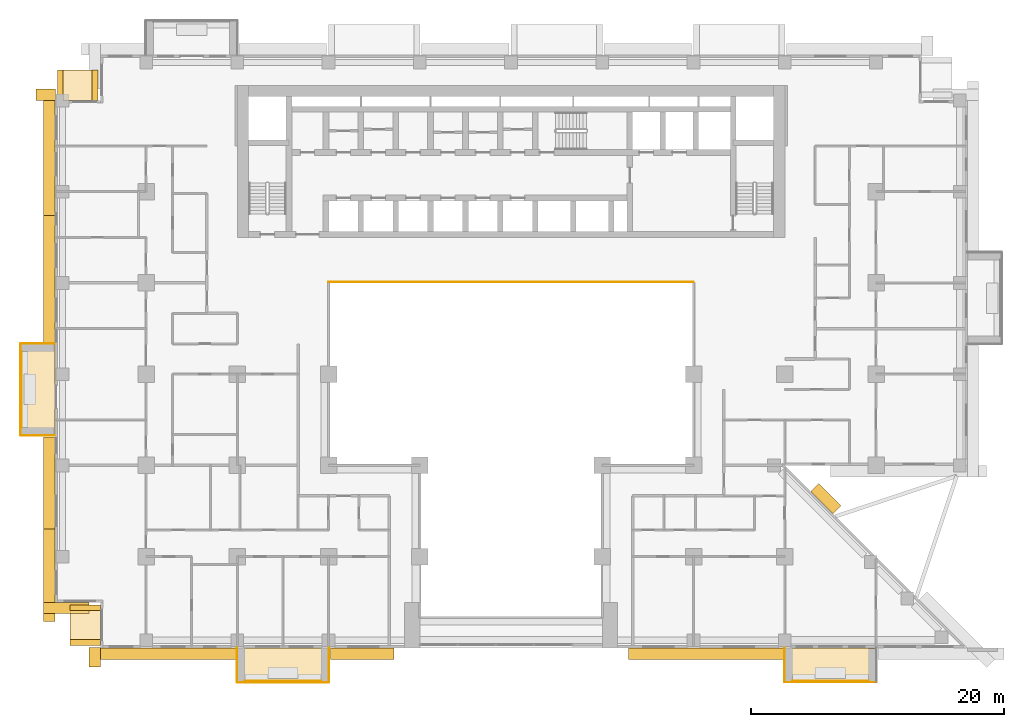
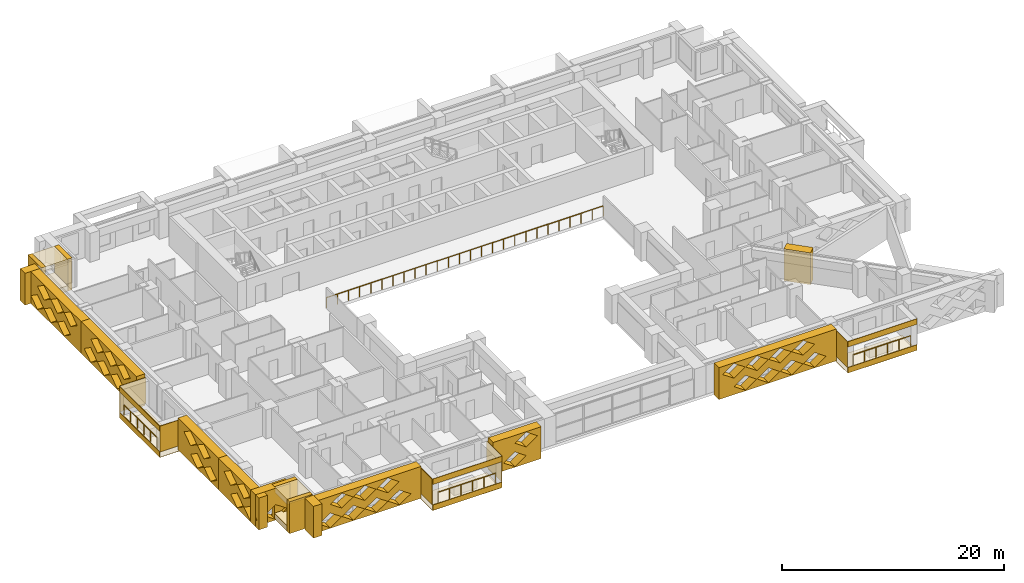
# One storey, part 13 of 16: 33 coverings, 4 railings.
"""IFC4 building model written with IfcOpenShell, lengths in metres."""

from ifc_helpers import new_model, si_unit, direction, frame, origin, origin_2d, place, context, subcontext, project, spatial, polyline, circle, outline, extrude, material, layer, layer_set, type_object, element, save


model = new_model("IFC4")

# Units and contexts
model_context = context("Model", 3, precision=1e-05, world=origin(), true_north=direction((0.0, 1.0)))
body_context = subcontext(model_context, "Body", "Model", "MODEL_VIEW")
ifc_project = project(units=[si_unit("LENGTHUNIT", "METRE"), si_unit("AREAUNIT", "SQUARE_METRE"), si_unit("VOLUMEUNIT", "CUBIC_METRE"), si_unit("PLANEANGLEUNIT", "RADIAN"), si_unit("MASSUNIT", "GRAM", prefix="KILO")], contexts=[model_context])

# Site, building, storey
site_placement = place(None, origin())
site = spatial("IfcSite", under=ifc_project, at=site_placement, CompositionType="ELEMENT")
building_placement = place(site_placement, origin())
building = spatial("IfcBuilding", under=site, at=building_placement, Name="Saffron Iwan Residences", CompositionType="ELEMENT")
storey_placement = place(building_placement, frame((0.0, 0.0, 83.0)))
storey = spatial("IfcBuildingStorey", under=building, at=storey_placement, Name="L21", CompositionType="ELEMENT", Elevation=83.0)

# Railings
ifc_material_1 = material(Name="Stainless steel 316", Category="steel")
railing_type_1 = type_object("IfcRailingType", Name="Atrium guard 1150", PredefinedType="GUARDRAIL", material=ifc_material_1)
railing_1_placement = place(storey_placement, frame((36.0, 62.47509765625, 0.0)))
element("IfcRailing", 1, at=railing_1_placement, inside=storey, type_object=railing_type_1, Name="Atrium guard L21", PredefinedType="GUARDRAIL", context=body_context, shape_type="SweptSolid", body=[
    extrude(circle(Radius=0.02392578125, at=origin_2d()), frame((0.0, 0.0, 1.1259765625), z_axis=(1.0, 0.0, 0.0), x_axis=(0.0, 1.0, 0.0)), (0.0, 0.0, 1.0), 28.800048828125),
    extrude(circle(Radius=0.02099609375, at=origin_2d()), origin(), (0.0, 0.0, 1.0), 1.101806640625),
    extrude(circle(Radius=0.02099609375, at=origin_2d()), frame((1.152099609375, 0.0, 0.0)), (0.0, 0.0, 1.0), 1.101806640625),
    extrude(circle(Radius=0.02099609375, at=origin_2d()), frame((2.303955078125, 0.0, 0.0)), (0.0, 0.0, 1.0), 1.101806640625),
    extrude(circle(Radius=0.02099609375, at=origin_2d()), frame((3.4560546875, 0.0, 0.0)), (0.0, 0.0, 1.0), 1.101806640625),
    extrude(circle(Radius=0.02099609375, at=origin_2d()), frame((4.60791015625, 0.0, 0.0)), (0.0, 0.0, 1.0), 1.101806640625),
    extrude(circle(Radius=0.02099609375, at=origin_2d()), frame((5.760009765625, 0.0, 0.0)), (0.0, 0.0, 1.0), 1.101806640625),
    extrude(circle(Radius=0.02099609375, at=origin_2d()), frame((6.912109375, 0.0, 0.0)), (0.0, 0.0, 1.0), 1.101806640625),
    extrude(circle(Radius=0.02099609375, at=origin_2d()), frame((8.06396484375, 0.0, 0.0)), (0.0, 0.0, 1.0), 1.101806640625),
    extrude(circle(Radius=0.02099609375, at=origin_2d()), frame((9.216064453125, 0.0, 0.0)), (0.0, 0.0, 1.0), 1.101806640625),
    extrude(circle(Radius=0.02099609375, at=origin_2d()), frame((10.367919921875, 0.0, 0.0)), (0.0, 0.0, 1.0), 1.101806640625),
    extrude(circle(Radius=0.02099609375, at=origin_2d()), frame((11.52001953125, 0.0, 0.0)), (0.0, 0.0, 1.0), 1.101806640625),
    extrude(circle(Radius=0.02099609375, at=origin_2d()), frame((12.672119140625, 0.0, 0.0)), (0.0, 0.0, 1.0), 1.101806640625),
    extrude(circle(Radius=0.02099609375, at=origin_2d()), frame((13.823974609375, 0.0, 0.0)), (0.0, 0.0, 1.0), 1.101806640625),
    extrude(circle(Radius=0.02099609375, at=origin_2d()), frame((14.97607421875, 0.0, 0.0)), (0.0, 0.0, 1.0), 1.101806640625),
    extrude(circle(Radius=0.02099609375, at=origin_2d()), frame((16.1279296875, 0.0, 0.0)), (0.0, 0.0, 1.0), 1.101806640625),
    extrude(circle(Radius=0.02099609375, at=origin_2d()), frame((17.280029296875, 0.0, 0.0)), (0.0, 0.0, 1.0), 1.101806640625),
    extrude(circle(Radius=0.02099609375, at=origin_2d()), frame((18.43212890625, 0.0, 0.0)), (0.0, 0.0, 1.0), 1.101806640625),
    extrude(circle(Radius=0.02099609375, at=origin_2d()), frame((19.583984375, 0.0, 0.0)), (0.0, 0.0, 1.0), 1.101806640625),
    extrude(circle(Radius=0.02099609375, at=origin_2d()), frame((20.736083984375, 0.0, 0.0)), (0.0, 0.0, 1.0), 1.101806640625),
    extrude(circle(Radius=0.02099609375, at=origin_2d()), frame((21.887939453125, 0.0, 0.0)), (0.0, 0.0, 1.0), 1.101806640625),
    extrude(circle(Radius=0.02099609375, at=origin_2d()), frame((23.0400390625, 0.0, 0.0)), (0.0, 0.0, 1.0), 1.101806640625),
    extrude(circle(Radius=0.02099609375, at=origin_2d()), frame((24.192138671875, 0.0, 0.0)), (0.0, 0.0, 1.0), 1.101806640625),
    extrude(circle(Radius=0.02099609375, at=origin_2d()), frame((25.343994140625, 0.0, 0.0)), (0.0, 0.0, 1.0), 1.101806640625),
    extrude(circle(Radius=0.02099609375, at=origin_2d()), frame((26.49609375, 0.0, 0.0)), (0.0, 0.0, 1.0), 1.101806640625),
    extrude(circle(Radius=0.02099609375, at=origin_2d()), frame((27.64794921875, 0.0, 0.0)), (0.0, 0.0, 1.0), 1.101806640625),
    extrude(circle(Radius=0.02099609375, at=origin_2d()), frame((28.800048828125, 0.0, 0.0)), (0.0, 0.0, 1.0), 1.101806640625),
])
railing_type_2 = type_object("IfcRailingType", Name="BALCONY GUARD 1150", PredefinedType="GUARDRAIL", material=ifc_material_1)
railing_2_placement = place(storey_placement, frame((11.77490234375, 57.0, 0.0)))
element("IfcRailing", 2, at=railing_2_placement, inside=storey, type_object=railing_type_2, Name="Balcony guard L21 F8-1", PredefinedType="GUARDRAIL", context=body_context, shape_type="SweptSolid", body=[
    extrude(circle(Radius=0.02392578125, at=origin_2d()), frame((0.0, 0.0, 1.1259765625), z_axis=(0.0, -1.0, 0.0), x_axis=(1.0, 0.0, 0.0)), (0.0, 0.0, 1.0), 6.0),
    extrude(circle(Radius=0.02099609375, at=origin_2d()), origin(), (0.0, 0.0, 1.0), 1.101806640625),
    extrude(circle(Radius=0.02099609375, at=origin_2d()), frame((0.0, -1.199951171875, 0.0)), (0.0, 0.0, 1.0), 1.101806640625),
    extrude(circle(Radius=0.02099609375, at=origin_2d()), frame((0.0, -2.39990234375, 0.0)), (0.0, 0.0, 1.0), 1.101806640625),
    extrude(circle(Radius=0.02099609375, at=origin_2d()), frame((0.0, -3.60009765625, 0.0)), (0.0, 0.0, 1.0), 1.101806640625),
    extrude(circle(Radius=0.02099609375, at=origin_2d()), frame((0.0, -4.800048828125, 0.0)), (0.0, 0.0, 1.0), 1.101806640625),
    extrude(circle(Radius=0.02099609375, at=origin_2d()), frame((0.0, -6.0, 0.0)), (0.0, 0.0, 1.0), 1.101806640625),
])
for number, where, name in (
    (3, (29.39990234375, 30.97509765625, 0.0), "Balcony guard L21 11-0"),
    (4, (72.60009765625, 30.97509765625, 0.0), "Balcony guard L21 11-1"),
):
    element("IfcRailing", number, at=place(storey_placement, frame(where)), inside=storey, type_object=railing_type_2, Name=name, PredefinedType="GUARDRAIL", context=body_context, shape_type="SweptSolid", body=[
        extrude(circle(Radius=0.02392578125, at=origin_2d()), frame((0.0, 0.0, 1.1259765625), z_axis=(1.0, 0.0, 0.0), x_axis=(0.0, 1.0, 0.0)), (0.0, 0.0, 1.0), 6.0),
        extrude(circle(Radius=0.02099609375, at=origin_2d()), origin(), (0.0, 0.0, 1.0), 1.101806640625),
        extrude(circle(Radius=0.02099609375, at=origin_2d()), frame((1.199951171875, 0.0, 0.0)), (0.0, 0.0, 1.0), 1.101806640625),
        extrude(circle(Radius=0.02099609375, at=origin_2d()), frame((2.39990234375, 0.0, 0.0)), (0.0, 0.0, 1.0), 1.101806640625),
        extrude(circle(Radius=0.02099609375, at=origin_2d()), frame((3.60009765625, 0.0, 0.0)), (0.0, 0.0, 1.0), 1.101806640625),
        extrude(circle(Radius=0.02099609375, at=origin_2d()), frame((4.800048828125, 0.0, 0.0)), (0.0, 0.0, 1.0), 1.101806640625),
        extrude(circle(Radius=0.02099609375, at=origin_2d()), frame((6.0, 0.0, 0.0)), (0.0, 0.0, 1.0), 1.101806640625),
    ])

# Coverings
ifc_material_2 = material(Name="Precast concrete C40/50 white painted", Category="concrete")
ifc_layer = layer(ifc_material_2, 0.050048828125)
ifc_layer_set = layer_set([ifc_layer], Name="Precast concrete C40/50 white painted")
covering_type_1 = type_object("IfcCoveringType", Name="FRAME SKIN PRECAST WHITE 50", PredefinedType="CLADDING", material=ifc_layer_set)
for number, where, name in (
    (5, (0.0, 0.0, -0.60009765625), "Frame skin slab edge L21 F8-1"),
    (6, (0.0, 0.0, 2.25), "Frame skin fascia L21 F8-1"),
):
    element("IfcCovering", number, at=place(storey_placement, frame(where)), inside=storey, type_object=covering_type_1, Name=name, PredefinedType="CLADDING", context=body_context, shape_type="SweptSolid", body=[
        extrude(outline(polyline([(11.64990234375, 57.60009765625), (11.64990234375, 50.39990234375), (11.699951171875, 50.39990234375), (11.699951171875, 57.60009765625), (11.64990234375, 57.60009765625)])), origin(), (0.0, 0.0, 1.0), 0.60009765625),
    ])
covering_1_placement = place(storey_placement, frame((0.0, 0.0, -0.64990234375)))
element("IfcCovering", 7, at=covering_1_placement, inside=storey, type_object=covering_type_1, Name="Frame skin soffit L21 F8-1", PredefinedType="CLADDING", context=body_context, shape_type="SweptSolid", body=[
    extrude(outline(polyline([(11.699951171875, 57.60009765625), (11.699951171875, 50.39990234375), (14.39990234375, 50.39990234375), (14.39990234375, 57.60009765625), (11.699951171875, 57.60009765625)])), origin(), (0.0, 0.0, 1.0), 0.0498046875),
])
covering_2_placement = place(storey_placement, origin())
element("IfcCovering", 8, at=covering_2_placement, inside=storey, type_object=covering_type_1, Name="Frame skin fin L21 F8-1a", PredefinedType="CLADDING", context=body_context, shape_type="SweptSolid", body=[
    extrude(outline(polyline([(11.699951171875, 57.64990234375), (11.699951171875, 57.60009765625), (14.39990234375, 57.60009765625), (14.39990234375, 57.64990234375), (11.699951171875, 57.64990234375)])), origin(), (0.0, 0.0, 1.0), 2.85009765625),
])
covering_3_placement = place(storey_placement, origin())
element("IfcCovering", 9, at=covering_3_placement, inside=storey, type_object=covering_type_1, Name="Frame skin fin L21 F8-1b", PredefinedType="CLADDING", context=body_context, shape_type="SweptSolid", body=[
    extrude(outline(polyline([(11.699951171875, 50.39990234375), (11.699951171875, 50.35009765625), (14.39990234375, 50.35009765625), (14.39990234375, 50.39990234375), (11.699951171875, 50.39990234375)])), origin(), (0.0, 0.0, 1.0), 2.85009765625),
])
for number, where, name in (
    (10, (0.0, 0.0, -0.60009765625), "Frame skin slab edge L21 11-0"),
    (11, (0.0, 0.0, 2.25), "Frame skin fascia L21 11-0"),
):
    element("IfcCovering", number, at=place(storey_placement, frame(where)), inside=storey, type_object=covering_type_1, Name=name, PredefinedType="CLADDING", context=body_context, shape_type="SweptSolid", body=[
        extrude(outline(polyline([(28.800048828125, 30.85009765625), (36.0, 30.85009765625), (36.0, 30.89990234375), (28.800048828125, 30.89990234375), (28.800048828125, 30.85009765625)])), origin(), (0.0, 0.0, 1.0), 0.60009765625),
    ])
covering_4_placement = place(storey_placement, frame((0.0, 0.0, -0.64990234375)))
element("IfcCovering", 12, at=covering_4_placement, inside=storey, type_object=covering_type_1, Name="Frame skin soffit L21 11-0", PredefinedType="CLADDING", context=body_context, shape_type="SweptSolid", body=[
    extrude(outline(polyline([(28.800048828125, 30.89990234375), (36.0, 30.89990234375), (36.0, 33.60009765625), (28.800048828125, 33.60009765625), (28.800048828125, 30.89990234375)])), origin(), (0.0, 0.0, 1.0), 0.0498046875),
])
covering_5_placement = place(storey_placement, origin())
element("IfcCovering", 13, at=covering_5_placement, inside=storey, type_object=covering_type_1, Name="Frame skin fin L21 11-0a", PredefinedType="CLADDING", context=body_context, shape_type="SweptSolid", body=[
    extrude(outline(polyline([(28.75, 30.89990234375), (28.800048828125, 30.89990234375), (28.800048828125, 33.60009765625), (28.75, 33.60009765625), (28.75, 30.89990234375)])), origin(), (0.0, 0.0, 1.0), 2.85009765625),
])
covering_6_placement = place(storey_placement, origin())
element("IfcCovering", 14, at=covering_6_placement, inside=storey, type_object=covering_type_1, Name="Frame skin fin L21 11-0b", PredefinedType="CLADDING", context=body_context, shape_type="SweptSolid", body=[
    extrude(outline(polyline([(36.0, 30.89990234375), (36.050048828125, 30.89990234375), (36.050048828125, 33.60009765625), (36.0, 33.60009765625), (36.0, 30.89990234375)])), origin(), (0.0, 0.0, 1.0), 2.85009765625),
])
for number, where, name in (
    (15, (0.0, 0.0, -0.60009765625), "Frame skin slab edge L21 11-1"),
    (16, (0.0, 0.0, 2.25), "Frame skin fascia L21 11-1"),
):
    element("IfcCovering", number, at=place(storey_placement, frame(where)), inside=storey, type_object=covering_type_1, Name=name, PredefinedType="CLADDING", context=body_context, shape_type="SweptSolid", body=[
        extrude(outline(polyline([(72.0, 30.85009765625), (79.199951171875, 30.85009765625), (79.199951171875, 30.89990234375), (72.0, 30.89990234375), (72.0, 30.85009765625)])), origin(), (0.0, 0.0, 1.0), 0.60009765625),
    ])
covering_7_placement = place(storey_placement, frame((0.0, 0.0, -0.64990234375)))
element("IfcCovering", 17, at=covering_7_placement, inside=storey, type_object=covering_type_1, Name="Frame skin soffit L21 11-1", PredefinedType="CLADDING", context=body_context, shape_type="SweptSolid", body=[
    extrude(outline(polyline([(72.0, 30.89990234375), (79.199951171875, 30.89990234375), (79.199951171875, 33.60009765625), (72.0, 33.60009765625), (72.0, 30.89990234375)])), origin(), (0.0, 0.0, 1.0), 0.0498046875),
])
covering_8_placement = place(storey_placement, origin())
element("IfcCovering", 18, at=covering_8_placement, inside=storey, type_object=covering_type_1, Name="Frame skin fin L21 11-1a", PredefinedType="CLADDING", context=body_context, shape_type="SweptSolid", body=[
    extrude(outline(polyline([(71.949951171875, 30.89990234375), (72.0, 30.89990234375), (72.0, 33.60009765625), (71.949951171875, 33.60009765625), (71.949951171875, 30.89990234375)])), origin(), (0.0, 0.0, 1.0), 2.85009765625),
])
ifc_material_3 = material(Name="Precast concrete C40/50", Category="concrete")
covering_type_2 = type_object("IfcCoveringType", Name="OUTER SKIN LATTICE SCREEN", PredefinedType="CLADDING", material=ifc_material_3)
covering_9_placement = place(storey_placement, frame((75.805908203125, 44.194091796875, -0.320068359375), z_axis=(0.707106781187, 0.707106781187, 0.0), x_axis=(-0.707106781187, 0.707106781187, 0.0)))
element("IfcCovering", 19, at=covering_9_placement, inside=storey, type_object=covering_type_2, Name="OUTER SKIN lattice screen L21 F0.1", PredefinedType="CLADDING", context=body_context, shape_type="SweptSolid", body=[
    extrude(outline(polyline([(0.0, 0.0), (2.4853515625, 0.0), (2.4853515625, 3.5), (0.0, 3.5), (0.0, 0.0)])), origin(), (0.0, 0.0, 1.0), 0.900146484375),
])
covering_10_placement = place(storey_placement, frame((14.449951171875, 76.800048828125, -0.320068359375), z_axis=(0.0, 1.0, 0.0), x_axis=(-1.0, 0.0, 0.0)))
element("IfcCovering", 20, at=covering_10_placement, inside=storey, type_object=covering_type_2, Name="OUTER SKIN lattice screen L21 F7.0", PredefinedType="CLADDING", context=body_context, shape_type="SweptSolid", body=[
    extrude(outline(polyline([(0.0, 0.0), (1.550048828125, 0.0), (1.550048828125, 3.5), (0.0, 3.5), (0.0, 0.0)])), origin(), (0.0, 0.0, 1.0), 0.89990234375),
])
covering_11_placement = place(storey_placement, frame((14.39990234375, 77.699951171875, -0.320068359375), z_axis=(-1.0, 0.0, 0.0), x_axis=(0.0, -1.0, 0.0)))
element("IfcCovering", 21, at=covering_11_placement, inside=storey, type_object=covering_type_2, Name="OUTER SKIN lattice screen L21 F8.0", PredefinedType="CLADDING", context=body_context, shape_type="SweptSolid", body=[
    extrude(outline(polyline([(0.0, 0.0), (9.97509765625, 0.0), (9.97509765625, 3.5), (0.0, 3.5), (0.0, 0.0)]), holes=[polyline([(0.919921875, 0.875), (2.10009765625, 0.06005859375), (3.280029296875, 0.875), (2.10009765625, 1.68994140625), (0.919921875, 0.875)]), polyline([(3.320068359375, 0.875), (4.5, 0.06005859375), (5.679931640625, 0.875), (4.5, 1.68994140625), (3.320068359375, 0.875)]), polyline([(5.719970703125, 0.875), (6.89990234375, 0.06005859375), (8.080078125, 0.875), (6.89990234375, 1.68994140625), (5.719970703125, 0.875)]), polyline([(2.1201171875, 2.625), (3.300048828125, 1.81005859375), (4.47998046875, 2.625), (3.300048828125, 3.43994140625), (2.1201171875, 2.625)]), polyline([(4.52001953125, 2.625), (5.699951171875, 1.81005859375), (6.8798828125, 2.625), (5.699951171875, 3.43994140625), (4.52001953125, 2.625)]), polyline([(6.919921875, 2.625), (8.10009765625, 1.81005859375), (9.280029296875, 2.625), (8.10009765625, 3.43994140625), (6.919921875, 2.625)])]), origin(), (0.0, 0.0, 1.0), 0.89990234375),
])
covering_12_placement = place(storey_placement, frame((14.39990234375, 67.72509765625, -0.320068359375), z_axis=(-1.0, 0.0, 0.0), x_axis=(0.0, -1.0, 0.0)))
element("IfcCovering", 22, at=covering_12_placement, inside=storey, type_object=covering_type_2, Name="OUTER SKIN lattice screen L21 F8.1", PredefinedType="CLADDING", context=body_context, shape_type="SweptSolid", body=[
    extrude(outline(polyline([(0.0, 0.0), (9.97509765625, 0.0), (9.97509765625, 3.5), (0.0, 3.5), (0.0, 0.0)]), holes=[polyline([(0.544921875, 0.875), (1.72509765625, 0.06005859375), (2.905029296875, 0.875), (1.72509765625, 1.68994140625), (0.544921875, 0.875)]), polyline([(2.945068359375, 0.875), (4.125, 0.06005859375), (5.304931640625, 0.875), (4.125, 1.68994140625), (2.945068359375, 0.875)]), polyline([(5.344970703125, 0.875), (6.52490234375, 0.06005859375), (7.705078125, 0.875), (6.52490234375, 1.68994140625), (5.344970703125, 0.875)]), polyline([(1.7451171875, 2.625), (2.925048828125, 1.81005859375), (4.10498046875, 2.625), (2.925048828125, 3.43994140625), (1.7451171875, 2.625)]), polyline([(4.14501953125, 2.625), (5.324951171875, 1.81005859375), (6.5048828125, 2.625), (5.324951171875, 3.43994140625), (4.14501953125, 2.625)]), polyline([(6.544921875, 2.625), (7.72509765625, 1.81005859375), (8.905029296875, 2.625), (7.72509765625, 3.43994140625), (6.544921875, 2.625)])]), origin(), (0.0, 0.0, 1.0), 0.89990234375),
])
covering_13_placement = place(storey_placement, frame((14.39990234375, 50.25, -0.320068359375), z_axis=(-1.0, 0.0, 0.0), x_axis=(0.0, -1.0, 0.0)))
element("IfcCovering", 23, at=covering_13_placement, inside=storey, type_object=covering_type_2, Name="OUTER SKIN lattice screen L21 F8.2", PredefinedType="CLADDING", context=body_context, shape_type="SweptSolid", body=[
    extrude(outline(polyline([(0.0, 0.0), (7.27490234375, 0.0), (7.27490234375, 3.5), (0.0, 3.5), (0.0, 0.0)]), holes=[polyline([(2.27001953125, 0.875), (3.449951171875, 0.06005859375), (4.6298828125, 0.875), (3.449951171875, 1.68994140625), (2.27001953125, 0.875)]), polyline([(4.669921875, 0.875), (5.85009765625, 0.06005859375), (7.030029296875, 0.875), (5.85009765625, 1.68994140625), (4.669921875, 0.875)]), polyline([(1.070068359375, 2.625), (2.25, 1.81005859375), (3.429931640625, 2.625), (2.25, 3.43994140625), (1.070068359375, 2.625)]), polyline([(3.469970703125, 2.625), (4.64990234375, 1.81005859375), (5.830078125, 2.625), (4.64990234375, 3.43994140625), (3.469970703125, 2.625)])]), origin(), (0.0, 0.0, 1.0), 0.89990234375),
])
covering_14_placement = place(storey_placement, frame((14.39990234375, 42.97509765625, -0.320068359375), z_axis=(-1.0, 0.0, 0.0), x_axis=(0.0, -1.0, 0.0)))
element("IfcCovering", 24, at=covering_14_placement, inside=storey, type_object=covering_type_2, Name="OUTER SKIN lattice screen L21 F8.3", PredefinedType="CLADDING", context=body_context, shape_type="SweptSolid", body=[
    extrude(outline(polyline([(0.0, 0.0), (7.27490234375, 0.0), (7.27490234375, 3.5), (0.0, 3.5), (0.0, 0.0)]), holes=[polyline([(2.195068359375, 0.875), (3.375, 0.06005859375), (4.554931640625, 0.875), (3.375, 1.68994140625), (2.195068359375, 0.875)]), polyline([(4.594970703125, 0.875), (5.77490234375, 0.06005859375), (6.955078125, 0.875), (5.77490234375, 1.68994140625), (4.594970703125, 0.875)]), polyline([(0.9951171875, 2.625), (2.175048828125, 1.81005859375), (3.35498046875, 2.625), (2.175048828125, 3.43994140625), (0.9951171875, 2.625)]), polyline([(3.39501953125, 2.625), (4.574951171875, 1.81005859375), (5.7548828125, 2.625), (4.574951171875, 3.43994140625), (3.39501953125, 2.625)])]), origin(), (0.0, 0.0, 1.0), 0.89990234375),
])
covering_15_placement = place(storey_placement, frame((13.5, 37.199951171875, -0.320068359375), z_axis=(0.0, -1.0, 0.0), x_axis=(1.0, 0.0, 0.0)))
element("IfcCovering", 25, at=covering_15_placement, inside=storey, type_object=covering_type_2, Name="OUTER SKIN lattice screen L21 F9.0", PredefinedType="CLADDING", context=body_context, shape_type="SweptSolid", body=[
    extrude(outline(polyline([(0.0, 0.0), (3.60009765625, 0.0), (3.60009765625, 3.5), (0.0, 3.5), (0.0, 0.0)]), holes=[polyline([(0.919921875, 0.875), (2.10009765625, 0.06005859375), (3.280029296875, 0.875), (2.10009765625, 1.68994140625), (0.919921875, 0.875)])]), origin(), (0.0, 0.0, 1.0), 0.89990234375),
])
covering_16_placement = place(storey_placement, frame((18.0, 33.64990234375, -0.320068359375), z_axis=(-1.0, 0.0, 0.0), x_axis=(0.0, -1.0, 0.0)))
element("IfcCovering", 26, at=covering_16_placement, inside=storey, type_object=covering_type_2, Name="OUTER SKIN lattice screen L21 F10.0", PredefinedType="CLADDING", context=body_context, shape_type="SweptSolid", body=[
    extrude(outline(polyline([(0.0, 0.0), (1.550048828125, 0.0), (1.550048828125, 3.5), (0.0, 3.5), (0.0, 0.0)])), origin(), (0.0, 0.0, 1.0), 0.89990234375),
])
covering_17_placement = place(storey_placement, frame((17.10009765625, 33.60009765625, -0.320068359375), z_axis=(0.0, -1.0, 0.0), x_axis=(1.0, 0.0, 0.0)))
element("IfcCovering", 27, at=covering_17_placement, inside=storey, type_object=covering_type_2, Name="OUTER SKIN lattice screen L21 F11.0", PredefinedType="CLADDING", context=body_context, shape_type="SweptSolid", body=[
    extrude(outline(polyline([(0.0, 0.0), (11.550048828125, 0.0), (11.550048828125, 3.5), (0.0, 3.5), (0.0, 0.0)]), holes=[polyline([(0.919921875, 0.875), (2.10009765625, 0.06005859375), (3.280029296875, 0.875), (2.10009765625, 1.68994140625), (0.919921875, 0.875)]), polyline([(3.320068359375, 0.875), (4.5, 0.06005859375), (5.679931640625, 0.875), (4.5, 1.68994140625), (3.320068359375, 0.875)]), polyline([(5.719970703125, 0.875), (6.89990234375, 0.06005859375), (8.080078125, 0.875), (6.89990234375, 1.68994140625), (5.719970703125, 0.875)]), polyline([(8.1201171875, 0.875), (9.300048828125, 0.06005859375), (10.47998046875, 0.875), (9.300048828125, 1.68994140625), (8.1201171875, 0.875)]), polyline([(2.1201171875, 2.625), (3.300048828125, 1.81005859375), (4.47998046875, 2.625), (3.300048828125, 3.43994140625), (2.1201171875, 2.625)]), polyline([(4.52001953125, 2.625), (5.699951171875, 1.81005859375), (6.8798828125, 2.625), (5.699951171875, 3.43994140625), (4.52001953125, 2.625)]), polyline([(6.919921875, 2.625), (8.10009765625, 1.81005859375), (9.280029296875, 2.625), (8.10009765625, 3.43994140625), (6.919921875, 2.625)])]), origin(), (0.0, 0.0, 1.0), 0.900146484375),
])
covering_18_placement = place(storey_placement, frame((36.14990234375, 33.60009765625, -0.320068359375), z_axis=(0.0, -1.0, 0.0), x_axis=(1.0, 0.0, 0.0)))
element("IfcCovering", 28, at=covering_18_placement, inside=storey, type_object=covering_type_2, Name="OUTER SKIN lattice screen L21 F11.1", PredefinedType="CLADDING", context=body_context, shape_type="SweptSolid", body=[
    extrude(outline(polyline([(0.0, 0.0), (5.0, 0.0), (5.0, 3.5), (0.0, 3.5), (0.0, 0.0)]), holes=[polyline([(1.070068359375, 0.875), (2.25, 0.06005859375), (3.429931640625, 0.875), (2.25, 1.68994140625), (1.070068359375, 0.875)]), polyline([(2.27001953125, 2.625), (3.449951171875, 1.81005859375), (4.6298828125, 2.625), (3.449951171875, 3.43994140625), (2.27001953125, 2.625)])]), origin(), (0.0, 0.0, 1.0), 0.900146484375),
])
covering_19_placement = place(storey_placement, frame((59.64990234375, 33.60009765625, -0.320068359375), z_axis=(0.0, -1.0, 0.0), x_axis=(1.0, 0.0, 0.0)))
element("IfcCovering", 29, at=covering_19_placement, inside=storey, type_object=covering_type_2, Name="OUTER SKIN lattice screen L21 F11.2", PredefinedType="CLADDING", context=body_context, shape_type="SweptSolid", body=[
    extrude(outline(polyline([(0.0, 0.0), (12.199951171875, 0.0), (12.199951171875, 3.5), (0.0, 3.5), (0.0, 0.0)]), holes=[polyline([(1.570068359375, 0.875), (2.75, 0.06005859375), (3.929931640625, 0.875), (2.75, 1.68994140625), (1.570068359375, 0.875)]), polyline([(3.969970703125, 0.875), (5.14990234375, 0.06005859375), (6.330078125, 0.875), (5.14990234375, 1.68994140625), (3.969970703125, 0.875)]), polyline([(6.3701171875, 0.875), (7.550048828125, 0.06005859375), (8.72998046875, 0.875), (7.550048828125, 1.68994140625), (6.3701171875, 0.875)]), polyline([(8.77001953125, 0.875), (9.949951171875, 0.06005859375), (11.1298828125, 0.875), (9.949951171875, 1.68994140625), (8.77001953125, 0.875)]), polyline([(0.3701171875, 2.625), (1.550048828125, 1.81005859375), (2.72998046875, 2.625), (1.550048828125, 3.43994140625), (0.3701171875, 2.625)]), polyline([(2.77001953125, 2.625), (3.949951171875, 1.81005859375), (5.1298828125, 2.625), (3.949951171875, 3.43994140625), (2.77001953125, 2.625)]), polyline([(5.169921875, 2.625), (6.35009765625, 1.81005859375), (7.530029296875, 2.625), (6.35009765625, 3.43994140625), (5.169921875, 2.625)]), polyline([(7.570068359375, 2.625), (8.75, 1.81005859375), (9.929931640625, 2.625), (8.75, 3.43994140625), (7.570068359375, 2.625)])]), origin(), (0.0, 0.0, 1.0), 0.900146484375),
])
covering_type_3 = type_object("IfcCoveringType", Name="WHITE SUN FRAME PRECAST", PredefinedType="CLADDING", material=ifc_material_2)
for number, where, z_axis, x_axis, name in (
    (30, (17.800048828125, 76.800048828125, -0.320068359375), (0.0, 1.0, 0.0), (-1.0, 0.0, 0.0), "Sun frame L21 F7 0.2a"),
    (31, (15.050048828125, 76.800048828125, -0.320068359375), (0.0, 1.0, 0.0), (-1.0, 0.0, 0.0), "Sun frame L21 F7 0.2b"),
):
    element("IfcCovering", number, at=place(storey_placement, frame(where, z_axis=z_axis, x_axis=x_axis)), inside=storey, type_object=covering_type_3, Name=name, PredefinedType="CLADDING", context=body_context, shape_type="SweptSolid", body=[
        extrude(outline(polyline([(0.0, 0.0), (0.449951171875, 0.0), (0.449951171875, 3.5), (0.0, 3.5), (0.0, 0.0)])), origin(), (0.0, 0.0, 1.0), 2.39990234375),
    ])
for number, where, z_axis, x_axis, name in (
    (32, (17.35009765625, 76.800048828125, 2.580078125), (0.0, 1.0, 0.0), (-1.0, 0.0, 0.0), "Sun frame L21 F7 0.2h"),
    (33, (17.35009765625, 76.800048828125, -0.320068359375), (0.0, 1.0, 0.0), (-1.0, 0.0, 0.0), "Sun frame L21 F7 0.2s"),
):
    element("IfcCovering", number, at=place(storey_placement, frame(where, z_axis=z_axis, x_axis=x_axis)), inside=storey, type_object=covering_type_3, Name=name, PredefinedType="CLADDING", context=body_context, shape_type="SweptSolid", body=[
        extrude(outline(polyline([(0.0, 0.0), (2.300048828125, 0.0), (2.300048828125, 0.60009765625), (0.0, 0.60009765625), (0.0, 0.0)])), origin(), (0.0, 0.0, 1.0), 2.39990234375),
    ])
for number, where, z_axis, x_axis, name in (
    (34, (18.0, 37.0, -0.320068359375), (-1.0, 0.0, 0.0), (0.0, -1.0, 0.0), "Sun frame L21 F10 0.2a"),
    (35, (18.0, 34.25, -0.320068359375), (-1.0, 0.0, 0.0), (0.0, -1.0, 0.0), "Sun frame L21 F10 0.2b"),
):
    element("IfcCovering", number, at=place(storey_placement, frame(where, z_axis=z_axis, x_axis=x_axis)), inside=storey, type_object=covering_type_3, Name=name, PredefinedType="CLADDING", context=body_context, shape_type="SweptSolid", body=[
        extrude(outline(polyline([(0.0, 0.0), (0.449951171875, 0.0), (0.449951171875, 3.5), (0.0, 3.5), (0.0, 0.0)])), origin(), (0.0, 0.0, 1.0), 2.39990234375),
    ])
for number, where, z_axis, x_axis, name in (
    (36, (18.0, 36.550048828125, 2.580078125), (-1.0, 0.0, 0.0), (0.0, -1.0, 0.0), "Sun frame L21 F10 0.2h"),
    (37, (18.0, 36.550048828125, -0.320068359375), (-1.0, 0.0, 0.0), (0.0, -1.0, 0.0), "Sun frame L21 F10 0.2s"),
):
    element("IfcCovering", number, at=place(storey_placement, frame(where, z_axis=z_axis, x_axis=x_axis)), inside=storey, type_object=covering_type_3, Name=name, PredefinedType="CLADDING", context=body_context, shape_type="SweptSolid", body=[
        extrude(outline(polyline([(0.0, 0.0), (2.300048828125, 0.0), (2.300048828125, 0.60009765625), (0.0, 0.60009765625), (0.0, 0.0)])), origin(), (0.0, 0.0, 1.0), 2.39990234375),
    ])

save(model, "model.ifc")
